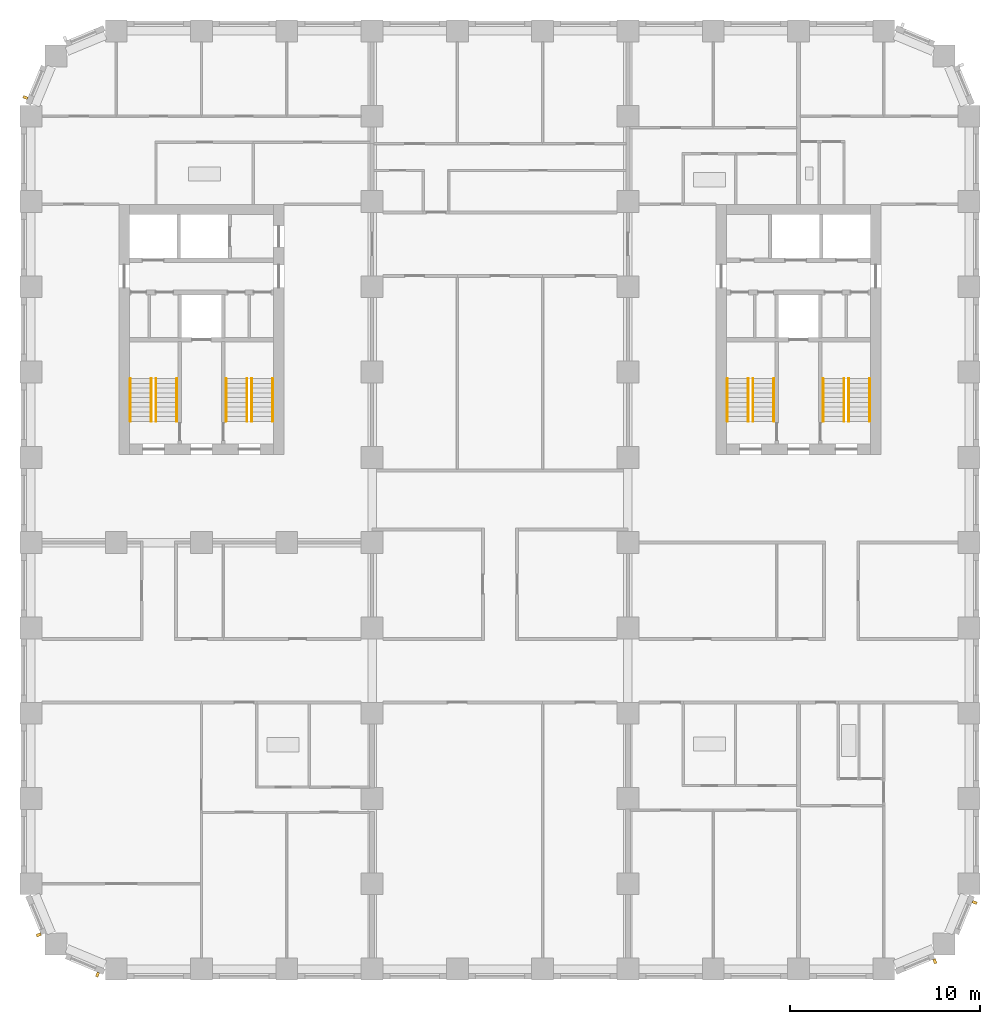
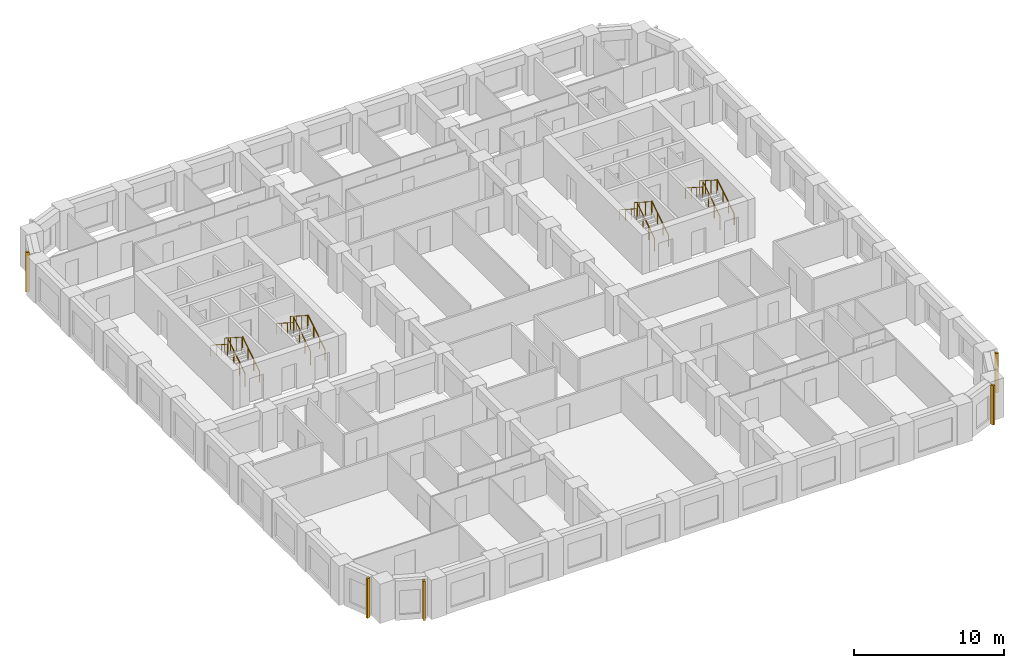
# One storey, part 11 of 13: 16 railings, 5 shading devices.
"""IFC4 building model written with IfcOpenShell, lengths in metres."""

from ifc_helpers import new_model, si_unit, direction, frame, origin, origin_2d, place, context, subcontext, project, spatial, rectangle, circle, extrude, material, type_object, element, save


model = new_model("IFC4")

# Units and contexts
model_context = context("Model", 3, precision=1e-05, world=origin(), true_north=direction((0.0, 1.0)))
body_context = subcontext(model_context, "Body", "Model", "MODEL_VIEW")
ifc_project = project(units=[si_unit("LENGTHUNIT", "METRE"), si_unit("AREAUNIT", "SQUARE_METRE"), si_unit("VOLUMEUNIT", "CUBIC_METRE"), si_unit("PLANEANGLEUNIT", "RADIAN"), si_unit("MASSUNIT", "GRAM", prefix="KILO")], contexts=[model_context])

# Site, building, storey
site_placement = place(None, origin())
site = spatial("IfcSite", under=ifc_project, at=site_placement, CompositionType="ELEMENT")
building_placement = place(site_placement, origin())
building = spatial("IfcBuilding", under=site, at=building_placement, Name="Girih Gate Residences", CompositionType="ELEMENT")
storey_placement = place(building_placement, frame((0.0, 0.0, 92.800048828125)))
storey = spatial("IfcBuildingStorey", under=building, at=storey_placement, Name="L25", CompositionType="ELEMENT", Elevation=92.800048828125)

# Shading devices
ifc_material_1 = material(Name="Precast concrete C50/60", Category="concrete")
shading_device_type = type_object("IfcShadingDeviceType", Name="Corner rib 150x250", PredefinedType="USERDEFINED", material=ifc_material_1)
for number, where, z_axis, x_axis, name in (
    (1, (0.412353515625, 1.8056640625, 0.0), (0.0, 0.0, 1.0), (0.382683432365, -0.923879532511, 0.0), "Corner rib SW0000_0045.0"),
    (2, (3.514892578125, -0.29541015625, 0.0), (0.0, 0.0, 1.0), (0.923879532511, -0.382683432365, 0.0), "Corner rib SW0013_0013.0"),
    (3, (47.6943359375, 0.412353515625, 0.0), (0.0, 0.0, 1.0), (0.923879532511, 0.382683432365, 0.0), "Corner rib SE0450_0000.0"),
    (4, (49.79541015625, 3.514892578125, 0.0), (0.0, 0.0, 1.0), (0.382683432365, 0.923879532511, 0.0), "Corner rib SE0482_0013.0"),
    (5, (-0.29541015625, 45.985107421875, 0.0), (0.0, 0.0, 1.0), (-0.382683432365, -0.923879532511, 0.0), "Corner rib NW0013_0482.0"),
):
    element("IfcShadingDevice", number, at=place(storey_placement, frame(where, z_axis=z_axis, x_axis=x_axis)), inside=storey, type_object=shading_device_type, Name=name, ObjectType="FIN", PredefinedType="USERDEFINED", context=body_context, shape_type="SweptSolid", body=[
        extrude(rectangle(XDim=0.14990234375, YDim=0.25, at=origin_2d()), origin(), (0.0, 0.0, 1.0), 3.199951171875),
    ])

# Railings
ifc_material_2 = material(Name="Stainless steel", Category="steel")
railing_type_1 = type_object("IfcRailingType", Name="Stair guard 1100", PredefinedType="GUARDRAIL", material=ifc_material_2)
railing_1_placement = place(storey_placement, frame((6.60009765625, 28.89990234375, 0.159912109375)))
element("IfcRailing", 6, at=railing_1_placement, inside=storey, type_object=railing_type_1, Name="L25 ST-W1 stair guard 1", PredefinedType="GUARDRAIL", context=body_context, shape_type="SweptSolid", body=[
    extrude(circle(Radius=0.02392578125, at=origin_2d()), frame((0.0, 0.0, 1.076171875), z_axis=(0.0, 0.842281359387, 0.539038135598), x_axis=(-1.0, 0.0, 0.0)), (0.0, 0.0, 1.0), 2.67138671875),
    extrude(circle(Radius=0.02099609375, at=origin_2d()), origin(), (0.0, 0.0, 1.0), 1.052001953125),
    extrude(circle(Radius=0.02099609375, at=origin_2d()), frame((0.0, 0.75, 0.47998046875)), (0.0, 0.0, 1.0), 1.052001953125),
    extrude(circle(Radius=0.02099609375, at=origin_2d()), frame((0.0, 1.5, 0.9599609375)), (0.0, 0.0, 1.0), 1.052001953125),
    extrude(circle(Radius=0.02099609375, at=origin_2d()), frame((0.0, 2.25, 1.43994140625)), (0.0, 0.0, 1.0), 1.052001953125),
])
railing_2_placement = place(storey_placement, frame((6.35009765625, 31.14990234375, 1.760009765625)))
element("IfcRailing", 7, at=railing_2_placement, inside=storey, type_object=railing_type_1, Name="L25 ST-W1 stair guard 2", PredefinedType="GUARDRAIL", context=body_context, shape_type="SweptSolid", body=[
    extrude(circle(Radius=0.02392578125, at=origin_2d()), frame((0.0, 0.0, 1.076171875), z_axis=(0.0, -0.842281359387, 0.539038135598), x_axis=(1.0, 0.0, 0.0)), (0.0, 0.0, 1.0), 2.67138671875),
    extrude(circle(Radius=0.02099609375, at=origin_2d()), origin(), (0.0, 0.0, 1.0), 1.052001953125),
    extrude(circle(Radius=0.02099609375, at=origin_2d()), frame((0.0, -0.75, 0.47998046875)), (0.0, 0.0, 1.0), 1.052001953125),
    extrude(circle(Radius=0.02099609375, at=origin_2d()), frame((0.0, -1.5, 0.9599609375)), (0.0, 0.0, 1.0), 1.052001953125),
    extrude(circle(Radius=0.02099609375, at=origin_2d()), frame((0.0, -2.25, 1.43994140625)), (0.0, 0.0, 1.0), 1.052001953125),
])
railing_3_placement = place(storey_placement, frame((11.64990234375, 28.89990234375, 0.159912109375)))
element("IfcRailing", 8, at=railing_3_placement, inside=storey, type_object=railing_type_1, Name="L25 ST-W2 stair guard 1", PredefinedType="GUARDRAIL", context=body_context, shape_type="SweptSolid", body=[
    extrude(circle(Radius=0.02392578125, at=origin_2d()), frame((0.0, 0.0, 1.076171875), z_axis=(0.0, 0.842281359387, 0.539038135598), x_axis=(-1.0, 0.0, 0.0)), (0.0, 0.0, 1.0), 2.67138671875),
    extrude(circle(Radius=0.02099609375, at=origin_2d()), origin(), (0.0, 0.0, 1.0), 1.052001953125),
    extrude(circle(Radius=0.02099609375, at=origin_2d()), frame((0.0, 0.75, 0.47998046875)), (0.0, 0.0, 1.0), 1.052001953125),
    extrude(circle(Radius=0.02099609375, at=origin_2d()), frame((0.0, 1.5, 0.9599609375)), (0.0, 0.0, 1.0), 1.052001953125),
    extrude(circle(Radius=0.02099609375, at=origin_2d()), frame((0.0, 2.25, 1.43994140625)), (0.0, 0.0, 1.0), 1.052001953125),
])
railing_4_placement = place(storey_placement, frame((11.39990234375, 31.14990234375, 1.760009765625)))
element("IfcRailing", 9, at=railing_4_placement, inside=storey, type_object=railing_type_1, Name="L25 ST-W2 stair guard 2", PredefinedType="GUARDRAIL", context=body_context, shape_type="SweptSolid", body=[
    extrude(circle(Radius=0.02392578125, at=origin_2d()), frame((0.0, 0.0, 1.076171875), z_axis=(0.0, -0.842281359387, 0.539038135598), x_axis=(1.0, 0.0, 0.0)), (0.0, 0.0, 1.0), 2.67138671875),
    extrude(circle(Radius=0.02099609375, at=origin_2d()), origin(), (0.0, 0.0, 1.0), 1.052001953125),
    extrude(circle(Radius=0.02099609375, at=origin_2d()), frame((0.0, -0.75, 0.47998046875)), (0.0, 0.0, 1.0), 1.052001953125),
    extrude(circle(Radius=0.02099609375, at=origin_2d()), frame((0.0, -1.5, 0.9599609375)), (0.0, 0.0, 1.0), 1.052001953125),
    extrude(circle(Radius=0.02099609375, at=origin_2d()), frame((0.0, -2.25, 1.43994140625)), (0.0, 0.0, 1.0), 1.052001953125),
])
railing_5_placement = place(storey_placement, frame((43.14990234375, 28.89990234375, 0.159912109375)))
element("IfcRailing", 10, at=railing_5_placement, inside=storey, type_object=railing_type_1, Name="L25 ST-E1 stair guard 1", PredefinedType="GUARDRAIL", context=body_context, shape_type="SweptSolid", body=[
    extrude(circle(Radius=0.02392578125, at=origin_2d()), frame((0.0, 0.0, 1.076171875), z_axis=(0.0, 0.842281359387, 0.539038135598), x_axis=(-1.0, 0.0, 0.0)), (0.0, 0.0, 1.0), 2.67138671875),
    extrude(circle(Radius=0.02099609375, at=origin_2d()), origin(), (0.0, 0.0, 1.0), 1.052001953125),
    extrude(circle(Radius=0.02099609375, at=origin_2d()), frame((0.0, 0.75, 0.47998046875)), (0.0, 0.0, 1.0), 1.052001953125),
    extrude(circle(Radius=0.02099609375, at=origin_2d()), frame((0.0, 1.5, 0.9599609375)), (0.0, 0.0, 1.0), 1.052001953125),
    extrude(circle(Radius=0.02099609375, at=origin_2d()), frame((0.0, 2.25, 1.43994140625)), (0.0, 0.0, 1.0), 1.052001953125),
])
railing_6_placement = place(storey_placement, frame((42.89990234375, 31.14990234375, 1.760009765625)))
element("IfcRailing", 11, at=railing_6_placement, inside=storey, type_object=railing_type_1, Name="L25 ST-E1 stair guard 2", PredefinedType="GUARDRAIL", context=body_context, shape_type="SweptSolid", body=[
    extrude(circle(Radius=0.02392578125, at=origin_2d()), frame((0.0, 0.0, 1.076171875), z_axis=(0.0, -0.842281359387, 0.539038135598), x_axis=(1.0, 0.0, 0.0)), (0.0, 0.0, 1.0), 2.67138671875),
    extrude(circle(Radius=0.02099609375, at=origin_2d()), origin(), (0.0, 0.0, 1.0), 1.052001953125),
    extrude(circle(Radius=0.02099609375, at=origin_2d()), frame((0.0, -0.75, 0.47998046875)), (0.0, 0.0, 1.0), 1.052001953125),
    extrude(circle(Radius=0.02099609375, at=origin_2d()), frame((0.0, -1.5, 0.9599609375)), (0.0, 0.0, 1.0), 1.052001953125),
    extrude(circle(Radius=0.02099609375, at=origin_2d()), frame((0.0, -2.25, 1.43994140625)), (0.0, 0.0, 1.0), 1.052001953125),
])
railing_7_placement = place(storey_placement, frame((38.10009765625, 28.89990234375, 0.159912109375)))
element("IfcRailing", 12, at=railing_7_placement, inside=storey, type_object=railing_type_1, Name="L25 ST-E2 stair guard 1", PredefinedType="GUARDRAIL", context=body_context, shape_type="SweptSolid", body=[
    extrude(circle(Radius=0.02392578125, at=origin_2d()), frame((0.0, 0.0, 1.076171875), z_axis=(0.0, 0.842281359387, 0.539038135598), x_axis=(-1.0, 0.0, 0.0)), (0.0, 0.0, 1.0), 2.67138671875),
    extrude(circle(Radius=0.02099609375, at=origin_2d()), origin(), (0.0, 0.0, 1.0), 1.052001953125),
    extrude(circle(Radius=0.02099609375, at=origin_2d()), frame((0.0, 0.75, 0.47998046875)), (0.0, 0.0, 1.0), 1.052001953125),
    extrude(circle(Radius=0.02099609375, at=origin_2d()), frame((0.0, 1.5, 0.9599609375)), (0.0, 0.0, 1.0), 1.052001953125),
    extrude(circle(Radius=0.02099609375, at=origin_2d()), frame((0.0, 2.25, 1.43994140625)), (0.0, 0.0, 1.0), 1.052001953125),
])
railing_8_placement = place(storey_placement, frame((37.85009765625, 31.14990234375, 1.760009765625)))
element("IfcRailing", 13, at=railing_8_placement, inside=storey, type_object=railing_type_1, Name="L25 ST-E2 stair guard 2", PredefinedType="GUARDRAIL", context=body_context, shape_type="SweptSolid", body=[
    extrude(circle(Radius=0.02392578125, at=origin_2d()), frame((0.0, 0.0, 1.076171875), z_axis=(0.0, -0.842281359387, 0.539038135598), x_axis=(1.0, 0.0, 0.0)), (0.0, 0.0, 1.0), 2.67138671875),
    extrude(circle(Radius=0.02099609375, at=origin_2d()), origin(), (0.0, 0.0, 1.0), 1.052001953125),
    extrude(circle(Radius=0.02099609375, at=origin_2d()), frame((0.0, -0.75, 0.47998046875)), (0.0, 0.0, 1.0), 1.052001953125),
    extrude(circle(Radius=0.02099609375, at=origin_2d()), frame((0.0, -1.5, 0.9599609375)), (0.0, 0.0, 1.0), 1.052001953125),
    extrude(circle(Radius=0.02099609375, at=origin_2d()), frame((0.0, -2.25, 1.43994140625)), (0.0, 0.0, 1.0), 1.052001953125),
])
railing_type_2 = type_object("IfcRailingType", Name="Stair handrail 900", PredefinedType="HANDRAIL", material=ifc_material_2)
railing_9_placement = place(storey_placement, frame((7.699951171875, 28.89990234375, 0.159912109375)))
element("IfcRailing", 14, at=railing_9_placement, inside=storey, type_object=railing_type_2, Name="L25 ST-W1 stair handrail 1", PredefinedType="HANDRAIL", context=body_context, shape_type="SweptSolid", body=[
    extrude(circle(Radius=0.02392578125, at=origin_2d()), frame((0.0, 0.0, 0.8857421875), z_axis=(0.0, 0.842281359387, 0.539038135598), x_axis=(-1.0, 0.0, 0.0)), (0.0, 0.0, 1.0), 2.67138671875),
    extrude(circle(Radius=0.02099609375, at=origin_2d()), origin(), (0.0, 0.0, 1.0), 0.86181640625),
    extrude(circle(Radius=0.02099609375, at=origin_2d()), frame((0.0, 0.75, 0.47998046875)), (0.0, 0.0, 1.0), 0.86181640625),
    extrude(circle(Radius=0.02099609375, at=origin_2d()), frame((0.0, 1.5, 0.9599609375)), (0.0, 0.0, 1.0), 0.86181640625),
    extrude(circle(Radius=0.02099609375, at=origin_2d()), frame((0.0, 2.25, 1.43994140625)), (0.0, 0.0, 1.0), 0.86181640625),
])
railing_10_placement = place(storey_placement, frame((5.25, 31.14990234375, 1.760009765625)))
element("IfcRailing", 15, at=railing_10_placement, inside=storey, type_object=railing_type_2, Name="L25 ST-W1 stair handrail 2", PredefinedType="HANDRAIL", context=body_context, shape_type="SweptSolid", body=[
    extrude(circle(Radius=0.02392578125, at=origin_2d()), frame((0.0, 0.0, 0.8857421875), z_axis=(0.0, -0.842281359387, 0.539038135598), x_axis=(1.0, 0.0, 0.0)), (0.0, 0.0, 1.0), 2.67138671875),
    extrude(circle(Radius=0.02099609375, at=origin_2d()), origin(), (0.0, 0.0, 1.0), 0.86181640625),
    extrude(circle(Radius=0.02099609375, at=origin_2d()), frame((0.0, -0.75, 0.47998046875)), (0.0, 0.0, 1.0), 0.86181640625),
    extrude(circle(Radius=0.02099609375, at=origin_2d()), frame((0.0, -1.5, 0.9599609375)), (0.0, 0.0, 1.0), 0.86181640625),
    extrude(circle(Radius=0.02099609375, at=origin_2d()), frame((0.0, -2.25, 1.43994140625)), (0.0, 0.0, 1.0), 0.86181640625),
])
railing_11_placement = place(storey_placement, frame((12.75, 28.89990234375, 0.159912109375)))
element("IfcRailing", 16, at=railing_11_placement, inside=storey, type_object=railing_type_2, Name="L25 ST-W2 stair handrail 1", PredefinedType="HANDRAIL", context=body_context, shape_type="SweptSolid", body=[
    extrude(circle(Radius=0.02392578125, at=origin_2d()), frame((0.0, 0.0, 0.8857421875), z_axis=(0.0, 0.842281359387, 0.539038135598), x_axis=(-1.0, 0.0, 0.0)), (0.0, 0.0, 1.0), 2.67138671875),
    extrude(circle(Radius=0.02099609375, at=origin_2d()), origin(), (0.0, 0.0, 1.0), 0.86181640625),
    extrude(circle(Radius=0.02099609375, at=origin_2d()), frame((0.0, 0.75, 0.47998046875)), (0.0, 0.0, 1.0), 0.86181640625),
    extrude(circle(Radius=0.02099609375, at=origin_2d()), frame((0.0, 1.5, 0.9599609375)), (0.0, 0.0, 1.0), 0.86181640625),
    extrude(circle(Radius=0.02099609375, at=origin_2d()), frame((0.0, 2.25, 1.43994140625)), (0.0, 0.0, 1.0), 0.86181640625),
])
railing_12_placement = place(storey_placement, frame((10.300048828125, 31.14990234375, 1.760009765625)))
element("IfcRailing", 17, at=railing_12_placement, inside=storey, type_object=railing_type_2, Name="L25 ST-W2 stair handrail 2", PredefinedType="HANDRAIL", context=body_context, shape_type="SweptSolid", body=[
    extrude(circle(Radius=0.02392578125, at=origin_2d()), frame((0.0, 0.0, 0.8857421875), z_axis=(0.0, -0.842281359387, 0.539038135598), x_axis=(1.0, 0.0, 0.0)), (0.0, 0.0, 1.0), 2.67138671875),
    extrude(circle(Radius=0.02099609375, at=origin_2d()), origin(), (0.0, 0.0, 1.0), 0.86181640625),
    extrude(circle(Radius=0.02099609375, at=origin_2d()), frame((0.0, -0.75, 0.47998046875)), (0.0, 0.0, 1.0), 0.86181640625),
    extrude(circle(Radius=0.02099609375, at=origin_2d()), frame((0.0, -1.5, 0.9599609375)), (0.0, 0.0, 1.0), 0.86181640625),
    extrude(circle(Radius=0.02099609375, at=origin_2d()), frame((0.0, -2.25, 1.43994140625)), (0.0, 0.0, 1.0), 0.86181640625),
])
railing_13_placement = place(storey_placement, frame((44.25, 28.89990234375, 0.159912109375)))
element("IfcRailing", 18, at=railing_13_placement, inside=storey, type_object=railing_type_2, Name="L25 ST-E1 stair handrail 1", PredefinedType="HANDRAIL", context=body_context, shape_type="SweptSolid", body=[
    extrude(circle(Radius=0.02392578125, at=origin_2d()), frame((0.0, 0.0, 0.8857421875), z_axis=(0.0, 0.842281359387, 0.539038135598), x_axis=(-1.0, 0.0, 0.0)), (0.0, 0.0, 1.0), 2.67138671875),
    extrude(circle(Radius=0.02099609375, at=origin_2d()), origin(), (0.0, 0.0, 1.0), 0.86181640625),
    extrude(circle(Radius=0.02099609375, at=origin_2d()), frame((0.0, 0.75, 0.47998046875)), (0.0, 0.0, 1.0), 0.86181640625),
    extrude(circle(Radius=0.02099609375, at=origin_2d()), frame((0.0, 1.5, 0.9599609375)), (0.0, 0.0, 1.0), 0.86181640625),
    extrude(circle(Radius=0.02099609375, at=origin_2d()), frame((0.0, 2.25, 1.43994140625)), (0.0, 0.0, 1.0), 0.86181640625),
])
railing_14_placement = place(storey_placement, frame((41.800048828125, 31.14990234375, 1.760009765625)))
element("IfcRailing", 19, at=railing_14_placement, inside=storey, type_object=railing_type_2, Name="L25 ST-E1 stair handrail 2", PredefinedType="HANDRAIL", context=body_context, shape_type="SweptSolid", body=[
    extrude(circle(Radius=0.02392578125, at=origin_2d()), frame((0.0, 0.0, 0.8857421875), z_axis=(0.0, -0.842281359387, 0.539038135598), x_axis=(1.0, 0.0, 0.0)), (0.0, 0.0, 1.0), 2.67138671875),
    extrude(circle(Radius=0.02099609375, at=origin_2d()), origin(), (0.0, 0.0, 1.0), 0.86181640625),
    extrude(circle(Radius=0.02099609375, at=origin_2d()), frame((0.0, -0.75, 0.47998046875)), (0.0, 0.0, 1.0), 0.86181640625),
    extrude(circle(Radius=0.02099609375, at=origin_2d()), frame((0.0, -1.5, 0.9599609375)), (0.0, 0.0, 1.0), 0.86181640625),
    extrude(circle(Radius=0.02099609375, at=origin_2d()), frame((0.0, -2.25, 1.43994140625)), (0.0, 0.0, 1.0), 0.86181640625),
])
railing_15_placement = place(storey_placement, frame((39.199951171875, 28.89990234375, 0.159912109375)))
element("IfcRailing", 20, at=railing_15_placement, inside=storey, type_object=railing_type_2, Name="L25 ST-E2 stair handrail 1", PredefinedType="HANDRAIL", context=body_context, shape_type="SweptSolid", body=[
    extrude(circle(Radius=0.02392578125, at=origin_2d()), frame((0.0, 0.0, 0.8857421875), z_axis=(0.0, 0.842281359387, 0.539038135598), x_axis=(-1.0, 0.0, 0.0)), (0.0, 0.0, 1.0), 2.67138671875),
    extrude(circle(Radius=0.02099609375, at=origin_2d()), origin(), (0.0, 0.0, 1.0), 0.86181640625),
    extrude(circle(Radius=0.02099609375, at=origin_2d()), frame((0.0, 0.75, 0.47998046875)), (0.0, 0.0, 1.0), 0.86181640625),
    extrude(circle(Radius=0.02099609375, at=origin_2d()), frame((0.0, 1.5, 0.9599609375)), (0.0, 0.0, 1.0), 0.86181640625),
    extrude(circle(Radius=0.02099609375, at=origin_2d()), frame((0.0, 2.25, 1.43994140625)), (0.0, 0.0, 1.0), 0.86181640625),
])
railing_16_placement = place(storey_placement, frame((36.75, 31.14990234375, 1.760009765625)))
element("IfcRailing", 21, at=railing_16_placement, inside=storey, type_object=railing_type_2, Name="L25 ST-E2 stair handrail 2", PredefinedType="HANDRAIL", context=body_context, shape_type="SweptSolid", body=[
    extrude(circle(Radius=0.02392578125, at=origin_2d()), frame((0.0, 0.0, 0.8857421875), z_axis=(0.0, -0.842281359387, 0.539038135598), x_axis=(1.0, 0.0, 0.0)), (0.0, 0.0, 1.0), 2.67138671875),
    extrude(circle(Radius=0.02099609375, at=origin_2d()), origin(), (0.0, 0.0, 1.0), 0.86181640625),
    extrude(circle(Radius=0.02099609375, at=origin_2d()), frame((0.0, -0.75, 0.47998046875)), (0.0, 0.0, 1.0), 0.86181640625),
    extrude(circle(Radius=0.02099609375, at=origin_2d()), frame((0.0, -1.5, 0.9599609375)), (0.0, 0.0, 1.0), 0.86181640625),
    extrude(circle(Radius=0.02099609375, at=origin_2d()), frame((0.0, -2.25, 1.43994140625)), (0.0, 0.0, 1.0), 0.86181640625),
])

save(model, "model.ifc")
